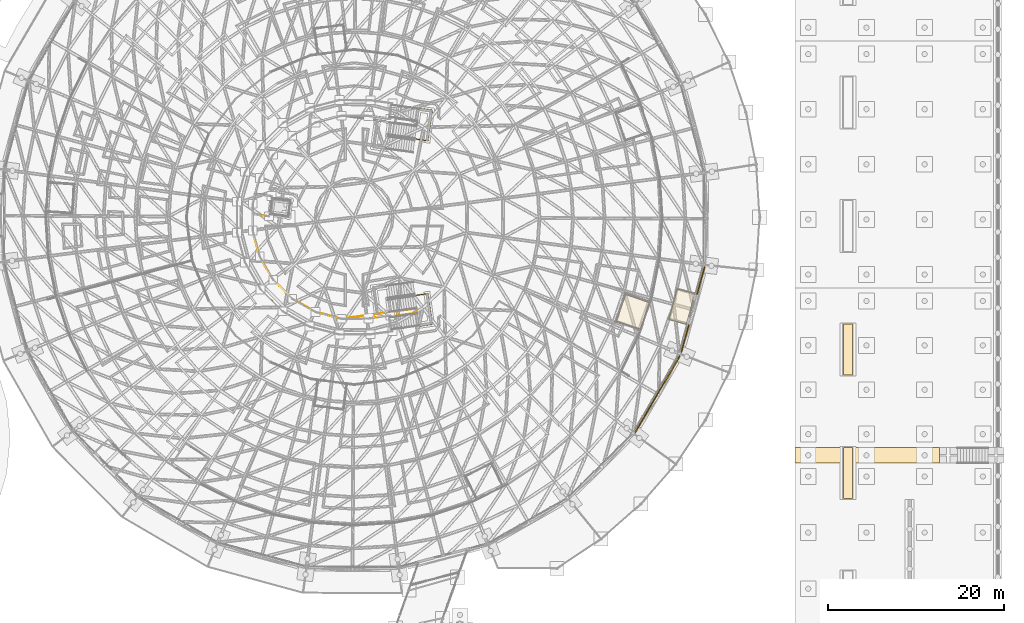
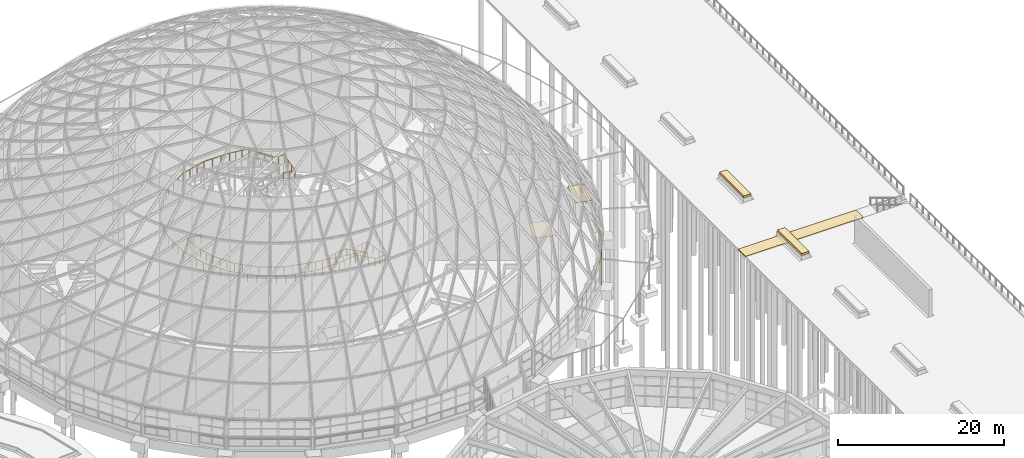
# One storey, part 221 of 226: 8 coverings, 2 railings.
"""IFC4 building model written with IfcOpenShell, lengths in metres."""

from ifc_helpers import new_model, si_unit, direction, frame, origin, origin_2d, place, context, subcontext, project, spatial, polyline, circle, outline, extrude, material, layer, layer_set, type_object, element, save


model = new_model("IFC4")

# Units and contexts
model_context = context("Model", 3, precision=1e-05, world=origin(), true_north=direction((0.0, 1.0)))
body_context = subcontext(model_context, "Body", "Model", "MODEL_VIEW")
ifc_project = project(units=[si_unit("LENGTHUNIT", "METRE"), si_unit("AREAUNIT", "SQUARE_METRE"), si_unit("VOLUMEUNIT", "CUBIC_METRE"), si_unit("PLANEANGLEUNIT", "RADIAN"), si_unit("MASSUNIT", "GRAM", prefix="KILO")], contexts=[model_context])

# Site, building, storey
site_placement = place(None, origin())
site = spatial("IfcSite", under=ifc_project, at=site_placement, CompositionType="ELEMENT")
building_placement = place(site_placement, origin())
building = spatial("IfcBuilding", under=site, at=building_placement, Name="Ceibo Conservatory and Research Tower", CompositionType="ELEMENT")
storey_placement = place(building_placement, origin())
storey = spatial("IfcBuildingStorey", under=building, at=storey_placement, Name="L00", CompositionType="ELEMENT", Elevation=0.0)

# Coverings
ifc_material_1 = material(Name="Aluminium ceiling panel", Category="aluminium")
ifc_layer_1 = layer(ifc_material_1, 0.050048828125)
ifc_layer_set_1 = layer_set([ifc_layer_1], Name="Aluminium ceiling panel")
covering_type_1 = type_object("IfcCoveringType", Name="Ceiling panel 50", PredefinedType="CEILING", material=ifc_layer_set_1)
covering_1_placement = place(storey_placement, frame((0.0, 0.0, 2.949951171875)))
element("IfcCovering", 1, at=covering_1_placement, inside=storey, type_object=covering_type_1, Name="Vestibule ceiling A-VC23", PredefinedType="CEILING", context=body_context, shape_type="SweptSolid", body=[
    extrude(outline(polyline([(193.667236328125, 95.864990234375), (194.6142578125, 99.33837890625), (192.636474609375, 99.87744140625), (191.689453125, 96.404296875), (193.667236328125, 95.864990234375)])), origin(), (0.0, 0.0, 1.0), 0.050048828125),
])
ifc_material_2 = material(Name="Concrete C35/45", Category="concrete")
ifc_layer_2 = layer(ifc_material_2, 0.14990234375)
ifc_layer_set_2 = layer_set([ifc_layer_2], Name="Concrete C35/45")
covering_type_2 = type_object("IfcCoveringType", Name="Concrete plinth facing 150", PredefinedType="CLADDING", material=ifc_layer_set_2)
covering_2_placement = place(storey_placement, origin())
element("IfcCovering", 2, at=covering_2_placement, inside=storey, type_object=covering_type_2, Name="Drum plinth facing A-PL27", PredefinedType="CLADDING", context=body_context, shape_type="SweptSolid", body=[
    extrude(outline(polyline([(187.799072265625, 83.646484375), (192.854736328125, 92.315673828125), (192.984375, 92.240234375), (187.9287109375, 83.571044921875), (187.799072265625, 83.646484375)])), origin(), (0.0, 0.0, 1.0), 0.5),
])
covering_3_placement = place(storey_placement, origin())
element("IfcCovering", 3, at=covering_3_placement, inside=storey, type_object=covering_type_2, Name="Drum plinth facing A-PL28", PredefinedType="CLADDING", context=body_context, shape_type="SweptSolid", body=[
    extrude(outline(polyline([(193.018798828125, 92.70654296875), (193.864990234375, 95.81103515625), (194.009765625, 95.771484375), (193.163330078125, 92.6669921875), (193.018798828125, 92.70654296875)])), origin(), (0.0, 0.0, 1.0), 0.5),
])
covering_4_placement = place(storey_placement, origin())
element("IfcCovering", 4, at=covering_4_placement, inside=storey, type_object=covering_type_2, Name="Drum plinth facing A-PL29", PredefinedType="CLADDING", context=body_context, shape_type="SweptSolid", body=[
    extrude(outline(polyline([(194.81201171875, 99.2841796875), (195.658447265625, 102.388916015625), (195.802978515625, 102.349365234375), (194.956787109375, 99.244873046875), (194.81201171875, 99.2841796875)])), origin(), (0.0, 0.0, 1.0), 0.5),
])

# Railings
ifc_material_3 = material(Name="Stainless steel AISI 316", Category="steel")
railing_type = type_object("IfcRailingType", Name="Conservatory guard 1100", PredefinedType="GUARDRAIL", material=ifc_material_3)
railing_1_placement = place(storey_placement, frame((162.882568359375, 116.87841796875, 4.0)))
element("IfcRailing", 5, at=railing_1_placement, inside=storey, type_object=railing_type, Name="Canopy walkway guard outer side", PredefinedType="GUARDRAIL", context=body_context, shape_type="SweptSolid", body=[
    extrude(circle(Radius=0.02392578125, at=origin_2d()), frame((0.0, 0.0, 1.076171875), z_axis=(0.990269200152, -0.139165050317, 0.0), x_axis=(0.139165050317, 0.990269200152, 0.0)), (0.0, 0.0, 1.0), 1.5),
    extrude(circle(Radius=0.02392578125, at=origin_2d()), frame((1.4853515625, -0.208740234375, 1.076171875), z_axis=(0.139223838121, 0.990260936773, 0.0), x_axis=(-0.990260936773, 0.139223838121, 0.0)), (0.0, 0.0, 1.0), 3.500244140625),
    extrude(circle(Radius=0.02392578125, at=origin_2d()), frame((1.97265625, 3.25732421875, 1.076171875), z_axis=(-0.990272351668, 0.139142622954, 0.0), x_axis=(-0.139142622954, -0.990272351668, 0.0)), (0.0, 0.0, 1.0), 1.500244140625),
    extrude(circle(Radius=0.02392578125, at=origin_2d()), frame((0.487060546875, 3.466064453125, 1.076171875), z_axis=(0.0, 0.0, 1.0), x_axis=(1.0, 0.0, 0.0)), (0.0, 0.0, 1.0), 0.166748046875),
    extrude(circle(Radius=0.02392578125, at=origin_2d()), frame((0.487060546875, 3.466064453125, 1.24267578125), z_axis=(-0.850921535928, 0.119614010334, 0.511492940544), x_axis=(-0.139201388639, -0.990264092756, 0.0)), (0.0, 0.0, 1.0), 3.584228515625),
    extrude(circle(Radius=0.02392578125, at=origin_2d()), frame((-2.562744140625, 3.894775390625, 3.076171875), z_axis=(0.138456131972, 0.990368567514, 0.0), x_axis=(-0.990368567514, 0.138456131972, 0.0)), (0.0, 0.0, 1.0), 0.14990234375),
    extrude(circle(Radius=0.02392578125, at=origin_2d()), frame((-2.5419921875, 4.043212890625, 3.076171875), z_axis=(-0.990269200152, 0.139165050317, 0.0), x_axis=(-0.139165050317, -0.990269200152, 0.0)), (0.0, 0.0, 1.0), 2.5),
    extrude(circle(Radius=0.02392578125, at=origin_2d()), frame((-5.017578125, 4.39111328125, 3.076171875), z_axis=(-0.999967560097, 0.008054734878, 0.0), x_axis=(-0.008054734878, -0.999967560097, 0.0)), (0.0, 0.0, 1.0), 3.515869140625),
    extrude(circle(Radius=0.02392578125, at=origin_2d()), frame((-8.533447265625, 4.41943359375, 3.076171875), z_axis=(-0.967637916625, -0.252342747687, 0.0), x_axis=(0.252342747687, -0.967637916625, 0.0)), (0.0, 0.0, 1.0), 3.515869140625),
    extrude(circle(Radius=0.02392578125, at=origin_2d()), frame((-11.935546875, 3.5322265625, 3.076171875), z_axis=(-0.868725584754, -0.49529370922, 0.0), x_axis=(0.49529370922, -0.868725584754, 0.0)), (0.0, 0.0, 1.0), 3.51611328125),
    extrude(circle(Radius=0.02392578125, at=origin_2d()), frame((-14.989990234375, 1.790771484375, 3.076171875), z_axis=(-0.709948063666, -0.704254035769, 0.0), x_axis=(0.704254035769, -0.709948063666, 0.0)), (0.0, 0.0, 1.0), 3.515869140625),
    extrude(circle(Radius=0.02392578125, at=origin_2d()), frame((-17.486083984375, -0.685302734375, 3.076171875), z_axis=(-0.502303019938, -0.86469166537, 0.0), x_axis=(0.86469166537, -0.502303019938, 0.0)), (0.0, 0.0, 1.0), 3.51611328125),
    extrude(circle(Radius=0.02392578125, at=origin_2d()), frame((-19.252197265625, -3.7255859375, 3.076171875), z_axis=(-0.26012537805, -0.965574848313, 0.0), x_axis=(0.965574848313, -0.26012537805, 0.0)), (0.0, 0.0, 1.0), 3.515869140625),
    extrude(circle(Radius=0.02392578125, at=origin_2d()), frame((-20.166748046875, -7.120361328125, 3.076171875), z_axis=(0.0, -1.0, 0.0), x_axis=(1.0, 0.0, 0.0)), (0.0, 0.0, 1.0), 3.51611328125),
    extrude(circle(Radius=0.02392578125, at=origin_2d()), frame((-20.166748046875, -10.636474609375, 3.076171875), z_axis=(0.26012537805, -0.965574848313, 0.0), x_axis=(0.965574848313, 0.26012537805, 0.0)), (0.0, 0.0, 1.0), 3.515869140625),
    extrude(circle(Radius=0.02392578125, at=origin_2d()), frame((-19.252197265625, -14.03125, 3.076171875), z_axis=(0.502303019938, -0.86469166537, 0.0), x_axis=(0.86469166537, 0.502303019938, 0.0)), (0.0, 0.0, 1.0), 3.51611328125),
    extrude(circle(Radius=0.02392578125, at=origin_2d()), frame((-17.486083984375, -17.071533203125, 3.076171875), z_axis=(0.709948063666, -0.704254035769, 0.0), x_axis=(0.704254035769, 0.709948063666, 0.0)), (0.0, 0.0, 1.0), 3.515869140625),
    extrude(circle(Radius=0.02392578125, at=origin_2d()), frame((-14.989990234375, -19.547607421875, 3.076171875), z_axis=(0.868725584754, -0.49529370922, 0.0), x_axis=(0.49529370922, 0.868725584754, 0.0)), (0.0, 0.0, 1.0), 3.51611328125),
    extrude(circle(Radius=0.02392578125, at=origin_2d()), frame((-11.935546875, -21.2890625, 3.076171875), z_axis=(0.967637916625, -0.252342747687, 0.0), x_axis=(0.252342747687, 0.967637916625, 0.0)), (0.0, 0.0, 1.0), 3.515869140625),
    extrude(circle(Radius=0.02392578125, at=origin_2d()), frame((-8.533447265625, -22.17626953125, 3.076171875), z_axis=(0.999967560097, 0.008054734878, 0.0), x_axis=(-0.008054734878, 0.999967560097, 0.0)), (0.0, 0.0, 1.0), 3.515869140625),
    extrude(circle(Radius=0.02392578125, at=origin_2d()), frame((-5.017578125, -22.14794921875, 3.076171875), z_axis=(0.990269200152, 0.139165050317, 0.0), x_axis=(-0.139165050317, 0.990269200152, 0.0)), (0.0, 0.0, 1.0), 2.5),
    extrude(circle(Radius=0.02392578125, at=origin_2d()), frame((-2.5419921875, -21.800048828125, 3.076171875), z_axis=(-0.138456131972, 0.990368567514, 0.0), x_axis=(-0.990368567514, -0.138456131972, 0.0)), (0.0, 0.0, 1.0), 0.14990234375),
    extrude(circle(Radius=0.02392578125, at=origin_2d()), frame((-2.562744140625, -21.651611328125, 3.076171875), z_axis=(0.850921535928, 0.119614010334, -0.511492940544), x_axis=(-0.139201388639, 0.990264092756, 0.0)), (0.0, 0.0, 1.0), 3.584228515625),
    extrude(circle(Radius=0.02392578125, at=origin_2d()), frame((0.487060546875, -21.222900390625, 1.24267578125), z_axis=(0.0, 0.0, -1.0), x_axis=(1.0, 0.0, 0.0)), (0.0, 0.0, 1.0), 0.166748046875),
    extrude(circle(Radius=0.02392578125, at=origin_2d()), frame((0.487060546875, -21.222900390625, 1.076171875), z_axis=(0.990272351668, 0.139142622954, 0.0), x_axis=(-0.139142622954, 0.990272351668, 0.0)), (0.0, 0.0, 1.0), 1.500244140625),
    extrude(circle(Radius=0.02392578125, at=origin_2d()), frame((1.97265625, -21.01416015625, 1.076171875), z_axis=(-0.139223838121, 0.990260936773, 0.0), x_axis=(-0.990260936773, -0.139223838121, 0.0)), (0.0, 0.0, 1.0), 3.500244140625),
    extrude(circle(Radius=0.02392578125, at=origin_2d()), frame((1.4853515625, -17.548095703125, 1.076171875), z_axis=(-0.990269200152, -0.139165050317, 0.0), x_axis=(0.139165050317, -0.990269200152, 0.0)), (0.0, 0.0, 1.0), 1.5),
    extrude(circle(Radius=0.02099609375, at=origin_2d()), origin(), (0.0, 0.0, 1.0), 1.052001953125),
    extrude(circle(Radius=0.02099609375, at=origin_2d()), frame((0.74267578125, -0.1044921875, 0.0)), (0.0, 0.0, 1.0), 1.052001953125),
    extrude(circle(Radius=0.02099609375, at=origin_2d()), frame((1.4853515625, -0.208740234375, 0.0)), (0.0, 0.0, 1.0), 1.052001953125),
    extrude(circle(Radius=0.02099609375, at=origin_2d()), frame((1.647705078125, 0.946533203125, 0.0)), (0.0, 0.0, 1.0), 1.052001953125),
    extrude(circle(Radius=0.02099609375, at=origin_2d()), frame((1.810302734375, 2.10205078125, 0.0)), (0.0, 0.0, 1.0), 1.052001953125),
    extrude(circle(Radius=0.02099609375, at=origin_2d()), frame((1.97265625, 3.25732421875, 0.0)), (0.0, 0.0, 1.0), 1.052001953125),
    extrude(circle(Radius=0.02099609375, at=origin_2d()), frame((1.22998046875, 3.36181640625, 0.0)), (0.0, 0.0, 1.0), 1.052001953125),
    extrude(circle(Radius=0.02099609375, at=origin_2d()), frame((0.487060546875, 3.466064453125, 0.0)), (0.0, 0.0, 1.0), 1.052001953125),
    extrude(circle(Radius=0.02099609375, at=origin_2d()), frame((0.487060546875, 3.466064453125, 0.166748046875)), (0.0, 0.0, 1.0), 1.052001953125),
    extrude(circle(Radius=0.02099609375, at=origin_2d()), frame((-0.529541015625, 3.60888671875, 0.77783203125)), (0.0, 0.0, 1.0), 1.052001953125),
    extrude(circle(Radius=0.02099609375, at=origin_2d()), frame((-1.546142578125, 3.751953125, 1.388916015625)), (0.0, 0.0, 1.0), 1.052001953125),
    extrude(circle(Radius=0.02099609375, at=origin_2d()), frame((-2.562744140625, 3.894775390625, 2.0)), (0.0, 0.0, 1.0), 1.052001953125),
    extrude(circle(Radius=0.02099609375, at=origin_2d()), frame((-2.5419921875, 4.043212890625, 2.0)), (0.0, 0.0, 1.0), 1.052001953125),
    extrude(circle(Radius=0.02099609375, at=origin_2d()), frame((-3.3671875, 4.1591796875, 2.0)), (0.0, 0.0, 1.0), 1.052001953125),
    extrude(circle(Radius=0.02099609375, at=origin_2d()), frame((-4.1923828125, 4.275146484375, 2.0)), (0.0, 0.0, 1.0), 1.052001953125),
    extrude(circle(Radius=0.02099609375, at=origin_2d()), frame((-5.017578125, 4.39111328125, 2.0)), (0.0, 0.0, 1.0), 1.052001953125),
    extrude(circle(Radius=0.02099609375, at=origin_2d()), frame((-6.189453125, 4.400634765625, 2.0)), (0.0, 0.0, 1.0), 1.052001953125),
    extrude(circle(Radius=0.02099609375, at=origin_2d()), frame((-7.361572265625, 4.409912109375, 2.0)), (0.0, 0.0, 1.0), 1.052001953125),
    extrude(circle(Radius=0.02099609375, at=origin_2d()), frame((-8.533447265625, 4.41943359375, 2.0)), (0.0, 0.0, 1.0), 1.052001953125),
    extrude(circle(Radius=0.02099609375, at=origin_2d()), frame((-9.66748046875, 4.123779296875, 2.0)), (0.0, 0.0, 1.0), 1.052001953125),
    extrude(circle(Radius=0.02099609375, at=origin_2d()), frame((-10.801513671875, 3.827880859375, 2.0)), (0.0, 0.0, 1.0), 1.052001953125),
    extrude(circle(Radius=0.02099609375, at=origin_2d()), frame((-11.935546875, 3.5322265625, 2.0)), (0.0, 0.0, 1.0), 1.052001953125),
    extrude(circle(Radius=0.02099609375, at=origin_2d()), frame((-12.95361328125, 2.95166015625, 2.0)), (0.0, 0.0, 1.0), 1.052001953125),
    extrude(circle(Radius=0.02099609375, at=origin_2d()), frame((-13.971923828125, 2.371337890625, 2.0)), (0.0, 0.0, 1.0), 1.052001953125),
    extrude(circle(Radius=0.02099609375, at=origin_2d()), frame((-14.989990234375, 1.790771484375, 2.0)), (0.0, 0.0, 1.0), 1.052001953125),
    extrude(circle(Radius=0.02099609375, at=origin_2d()), frame((-15.822021484375, 0.96533203125, 2.0)), (0.0, 0.0, 1.0), 1.052001953125),
    extrude(circle(Radius=0.02099609375, at=origin_2d()), frame((-16.654052734375, 0.14013671875, 2.0)), (0.0, 0.0, 1.0), 1.052001953125),
    extrude(circle(Radius=0.02099609375, at=origin_2d()), frame((-17.486083984375, -0.685302734375, 2.0)), (0.0, 0.0, 1.0), 1.052001953125),
    extrude(circle(Radius=0.02099609375, at=origin_2d()), frame((-18.07470703125, -1.69873046875, 2.0)), (0.0, 0.0, 1.0), 1.052001953125),
    extrude(circle(Radius=0.02099609375, at=origin_2d()), frame((-18.66357421875, -2.712158203125, 2.0)), (0.0, 0.0, 1.0), 1.052001953125),
    extrude(circle(Radius=0.02099609375, at=origin_2d()), frame((-19.252197265625, -3.7255859375, 2.0)), (0.0, 0.0, 1.0), 1.052001953125),
    extrude(circle(Radius=0.02099609375, at=origin_2d()), frame((-19.55712890625, -4.857177734375, 2.0)), (0.0, 0.0, 1.0), 1.052001953125),
    extrude(circle(Radius=0.02099609375, at=origin_2d()), frame((-19.86181640625, -5.98876953125, 2.0)), (0.0, 0.0, 1.0), 1.052001953125),
    extrude(circle(Radius=0.02099609375, at=origin_2d()), frame((-20.166748046875, -7.120361328125, 2.0)), (0.0, 0.0, 1.0), 1.052001953125),
    extrude(circle(Radius=0.02099609375, at=origin_2d()), frame((-20.166748046875, -8.29248046875, 2.0)), (0.0, 0.0, 1.0), 1.052001953125),
    extrude(circle(Radius=0.02099609375, at=origin_2d()), frame((-20.166748046875, -9.46435546875, 2.0)), (0.0, 0.0, 1.0), 1.052001953125),
    extrude(circle(Radius=0.02099609375, at=origin_2d()), frame((-20.166748046875, -10.636474609375, 2.0)), (0.0, 0.0, 1.0), 1.052001953125),
    extrude(circle(Radius=0.02099609375, at=origin_2d()), frame((-19.86181640625, -11.76806640625, 2.0)), (0.0, 0.0, 1.0), 1.052001953125),
    extrude(circle(Radius=0.02099609375, at=origin_2d()), frame((-19.55712890625, -12.899658203125, 2.0)), (0.0, 0.0, 1.0), 1.052001953125),
    extrude(circle(Radius=0.02099609375, at=origin_2d()), frame((-19.252197265625, -14.03125, 2.0)), (0.0, 0.0, 1.0), 1.052001953125),
    extrude(circle(Radius=0.02099609375, at=origin_2d()), frame((-18.66357421875, -15.044677734375, 2.0)), (0.0, 0.0, 1.0), 1.052001953125),
    extrude(circle(Radius=0.02099609375, at=origin_2d()), frame((-18.07470703125, -16.05810546875, 2.0)), (0.0, 0.0, 1.0), 1.052001953125),
    extrude(circle(Radius=0.02099609375, at=origin_2d()), frame((-17.486083984375, -17.071533203125, 2.0)), (0.0, 0.0, 1.0), 1.052001953125),
    extrude(circle(Radius=0.02099609375, at=origin_2d()), frame((-16.654052734375, -17.89697265625, 2.0)), (0.0, 0.0, 1.0), 1.052001953125),
    extrude(circle(Radius=0.02099609375, at=origin_2d()), frame((-15.822021484375, -18.72216796875, 2.0)), (0.0, 0.0, 1.0), 1.052001953125),
    extrude(circle(Radius=0.02099609375, at=origin_2d()), frame((-14.989990234375, -19.547607421875, 2.0)), (0.0, 0.0, 1.0), 1.052001953125),
    extrude(circle(Radius=0.02099609375, at=origin_2d()), frame((-13.971923828125, -20.128173828125, 2.0)), (0.0, 0.0, 1.0), 1.052001953125),
    extrude(circle(Radius=0.02099609375, at=origin_2d()), frame((-12.95361328125, -20.70849609375, 2.0)), (0.0, 0.0, 1.0), 1.052001953125),
    extrude(circle(Radius=0.02099609375, at=origin_2d()), frame((-11.935546875, -21.2890625, 2.0)), (0.0, 0.0, 1.0), 1.052001953125),
    extrude(circle(Radius=0.02099609375, at=origin_2d()), frame((-10.801513671875, -21.584716796875, 2.0)), (0.0, 0.0, 1.0), 1.052001953125),
    extrude(circle(Radius=0.02099609375, at=origin_2d()), frame((-9.66748046875, -21.880615234375, 2.0)), (0.0, 0.0, 1.0), 1.052001953125),
    extrude(circle(Radius=0.02099609375, at=origin_2d()), frame((-8.533447265625, -22.17626953125, 2.0)), (0.0, 0.0, 1.0), 1.052001953125),
    extrude(circle(Radius=0.02099609375, at=origin_2d()), frame((-7.361572265625, -22.166748046875, 2.0)), (0.0, 0.0, 1.0), 1.052001953125),
    extrude(circle(Radius=0.02099609375, at=origin_2d()), frame((-6.189453125, -22.157470703125, 2.0)), (0.0, 0.0, 1.0), 1.052001953125),
    extrude(circle(Radius=0.02099609375, at=origin_2d()), frame((-5.017578125, -22.14794921875, 2.0)), (0.0, 0.0, 1.0), 1.052001953125),
    extrude(circle(Radius=0.02099609375, at=origin_2d()), frame((-4.1923828125, -22.031982421875, 2.0)), (0.0, 0.0, 1.0), 1.052001953125),
    extrude(circle(Radius=0.02099609375, at=origin_2d()), frame((-3.3671875, -21.916015625, 2.0)), (0.0, 0.0, 1.0), 1.052001953125),
    extrude(circle(Radius=0.02099609375, at=origin_2d()), frame((-2.5419921875, -21.800048828125, 2.0)), (0.0, 0.0, 1.0), 1.052001953125),
    extrude(circle(Radius=0.02099609375, at=origin_2d()), frame((-2.562744140625, -21.651611328125, 2.0)), (0.0, 0.0, 1.0), 1.052001953125),
    extrude(circle(Radius=0.02099609375, at=origin_2d()), frame((-1.546142578125, -21.5087890625, 1.388916015625)), (0.0, 0.0, 1.0), 1.052001953125),
    extrude(circle(Radius=0.02099609375, at=origin_2d()), frame((-0.529541015625, -21.36572265625, 0.77783203125)), (0.0, 0.0, 1.0), 1.052001953125),
    extrude(circle(Radius=0.02099609375, at=origin_2d()), frame((0.487060546875, -21.222900390625, 0.166748046875)), (0.0, 0.0, 1.0), 1.052001953125),
    extrude(circle(Radius=0.02099609375, at=origin_2d()), frame((0.487060546875, -21.222900390625, 0.0)), (0.0, 0.0, 1.0), 1.052001953125),
    extrude(circle(Radius=0.02099609375, at=origin_2d()), frame((1.22998046875, -21.11865234375, 0.0)), (0.0, 0.0, 1.0), 1.052001953125),
    extrude(circle(Radius=0.02099609375, at=origin_2d()), frame((1.97265625, -21.01416015625, 0.0)), (0.0, 0.0, 1.0), 1.052001953125),
    extrude(circle(Radius=0.02099609375, at=origin_2d()), frame((1.810302734375, -19.85888671875, 0.0)), (0.0, 0.0, 1.0), 1.052001953125),
    extrude(circle(Radius=0.02099609375, at=origin_2d()), frame((1.647705078125, -18.703369140625, 0.0)), (0.0, 0.0, 1.0), 1.052001953125),
    extrude(circle(Radius=0.02099609375, at=origin_2d()), frame((1.4853515625, -17.548095703125, 0.0)), (0.0, 0.0, 1.0), 1.052001953125),
    extrude(circle(Radius=0.02099609375, at=origin_2d()), frame((0.74267578125, -17.65234375, 0.0)), (0.0, 0.0, 1.0), 1.052001953125),
    extrude(circle(Radius=0.02099609375, at=origin_2d()), frame((0.0, -17.7568359375, 0.0)), (0.0, 0.0, 1.0), 1.052001953125),
])
railing_2_placement = place(storey_placement, frame((146.33203125, 108.119384765625, 6.0)))
element("IfcRailing", 6, at=railing_2_placement, inside=storey, type_object=railing_type, Name="Canopy walkway guard inner side east", PredefinedType="GUARDRAIL", context=body_context, shape_type="SweptSolid", body=[
    extrude(circle(Radius=0.02392578125, at=origin_2d()), frame((0.0, 0.0, 1.076171875), z_axis=(-0.991355524199, 0.131202990208, 0.0), x_axis=(-0.131202990208, -0.991355524199, 0.0)), (0.0, 0.0, 1.0), 1.84765625),
    extrude(circle(Radius=0.02392578125, at=origin_2d()), frame((-1.831787109375, 0.242431640625, 1.076171875), z_axis=(0.0, -1.0, 0.0), x_axis=(1.0, 0.0, 0.0)), (0.0, 0.0, 1.0), 1.883544921875),
    extrude(circle(Radius=0.02392578125, at=origin_2d()), frame((-1.831787109375, -1.64111328125, 1.076171875), z_axis=(0.260123049311, -0.965575475671, 0.0), x_axis=(0.965575475671, 0.260123049311, 0.0)), (0.0, 0.0, 1.0), 3.043701171875),
    extrude(circle(Radius=0.02392578125, at=origin_2d()), frame((-1.0400390625, -4.580078125, 1.076171875), z_axis=(0.502294187222, -0.864696796272, 0.0), x_axis=(0.864696796272, 0.502294187222, 0.0)), (0.0, 0.0, 1.0), 3.043701171875),
    extrude(circle(Radius=0.02392578125, at=origin_2d()), frame((0.48876953125, -7.2119140625, 1.076171875), z_axis=(0.709948542218, -0.704253553347, 0.0), x_axis=(0.704253553347, 0.709948542218, 0.0)), (0.0, 0.0, 1.0), 3.043701171875),
    extrude(circle(Radius=0.02392578125, at=origin_2d()), frame((2.649658203125, -9.35546875, 1.076171875), z_axis=(0.868711694482, -0.495318071415, 0.0), x_axis=(0.495318071415, 0.868711694482, 0.0)), (0.0, 0.0, 1.0), 3.043701171875),
    extrude(circle(Radius=0.02392578125, at=origin_2d()), frame((5.293701171875, -10.863037109375, 1.076171875), z_axis=(0.96763430702, -0.252356588733, 0.0), x_axis=(0.252356588733, 0.96763430702, 0.0)), (0.0, 0.0, 1.0), 3.04345703125),
    extrude(circle(Radius=0.02392578125, at=origin_2d()), frame((8.23876953125, -11.631103515625, 1.076171875), z_axis=(0.965275699868, 0.130021807022, -0.226577035339), x_axis=(-0.133493540428, 0.991049683247, 0.0)), (0.0, 0.0, 1.0), 8.826904296875),
    extrude(circle(Radius=0.02392578125, at=origin_2d()), frame((16.75927734375, -10.4833984375, -0.923828125), z_axis=(0.132016646645, -0.939402664544, 0.316376735643), x_axis=(0.990269200152, 0.139165050317, 0.0)), (0.0, 0.0, 1.0), 0.527099609375),
    extrude(circle(Radius=0.02392578125, at=origin_2d()), frame((16.828857421875, -10.978515625, -0.75732421875), z_axis=(-0.850947260664, -0.119539937762, 0.511467460204), x_axis=(0.139112730934, -0.990276551319, 0.0)), (0.0, 0.0, 1.0), 3.584228515625),
    extrude(circle(Radius=0.02392578125, at=origin_2d()), frame((13.77880859375, -11.406982421875, 1.076171875), z_axis=(-0.138456131972, 0.990368567514, 0.0), x_axis=(-0.990368567514, -0.138456131972, 0.0)), (0.0, 0.0, 1.0), 0.14990234375),
    extrude(circle(Radius=0.02392578125, at=origin_2d()), frame((13.758056640625, -11.258544921875, 1.076171875), z_axis=(-0.990269200152, -0.139165050317, 0.0), x_axis=(0.139165050317, -0.990269200152, 0.0)), (0.0, 0.0, 1.0), 2.5),
    extrude(circle(Radius=0.02099609375, at=origin_2d()), origin(), (0.0, 0.0, 1.0), 1.052001953125),
    extrude(circle(Radius=0.02099609375, at=origin_2d()), frame((-0.916015625, 0.12109375, 0.0)), (0.0, 0.0, 1.0), 1.052001953125),
    extrude(circle(Radius=0.02099609375, at=origin_2d()), frame((-1.831787109375, 0.242431640625, 0.0)), (0.0, 0.0, 1.0), 1.052001953125),
    extrude(circle(Radius=0.02099609375, at=origin_2d()), frame((-1.831787109375, -0.69921875, 0.0)), (0.0, 0.0, 1.0), 1.052001953125),
    extrude(circle(Radius=0.02099609375, at=origin_2d()), frame((-1.831787109375, -1.64111328125, 0.0)), (0.0, 0.0, 1.0), 1.052001953125),
    extrude(circle(Radius=0.02099609375, at=origin_2d()), frame((-1.56787109375, -2.620849609375, 0.0)), (0.0, 0.0, 1.0), 1.052001953125),
    extrude(circle(Radius=0.02099609375, at=origin_2d()), frame((-1.303955078125, -3.600341796875, 0.0)), (0.0, 0.0, 1.0), 1.052001953125),
    extrude(circle(Radius=0.02099609375, at=origin_2d()), frame((-1.0400390625, -4.580078125, 0.0)), (0.0, 0.0, 1.0), 1.052001953125),
    extrude(circle(Radius=0.02099609375, at=origin_2d()), frame((-0.530517578125, -5.457275390625, 0.0)), (0.0, 0.0, 1.0), 1.052001953125),
    extrude(circle(Radius=0.02099609375, at=origin_2d()), frame((-0.020751953125, -6.334716796875, 0.0)), (0.0, 0.0, 1.0), 1.052001953125),
    extrude(circle(Radius=0.02099609375, at=origin_2d()), frame((0.48876953125, -7.2119140625, 0.0)), (0.0, 0.0, 1.0), 1.052001953125),
    extrude(circle(Radius=0.02099609375, at=origin_2d()), frame((1.208984375, -7.926513671875, 0.0)), (0.0, 0.0, 1.0), 1.052001953125),
    extrude(circle(Radius=0.02099609375, at=origin_2d()), frame((1.929443359375, -8.640869140625, 0.0)), (0.0, 0.0, 1.0), 1.052001953125),
    extrude(circle(Radius=0.02099609375, at=origin_2d()), frame((2.649658203125, -9.35546875, 0.0)), (0.0, 0.0, 1.0), 1.052001953125),
    extrude(circle(Radius=0.02099609375, at=origin_2d()), frame((3.531005859375, -9.85791015625, 0.0)), (0.0, 0.0, 1.0), 1.052001953125),
    extrude(circle(Radius=0.02099609375, at=origin_2d()), frame((4.412353515625, -10.360595703125, 0.0)), (0.0, 0.0, 1.0), 1.052001953125),
    extrude(circle(Radius=0.02099609375, at=origin_2d()), frame((5.293701171875, -10.863037109375, 0.0)), (0.0, 0.0, 1.0), 1.052001953125),
    extrude(circle(Radius=0.02099609375, at=origin_2d()), frame((6.275390625, -11.119140625, 0.0)), (0.0, 0.0, 1.0), 1.052001953125),
    extrude(circle(Radius=0.02099609375, at=origin_2d()), frame((7.257080078125, -11.375, 0.0)), (0.0, 0.0, 1.0), 1.052001953125),
    extrude(circle(Radius=0.02099609375, at=origin_2d()), frame((8.23876953125, -11.631103515625, 0.0)), (0.0, 0.0, 1.0), 1.052001953125),
    extrude(circle(Radius=0.02099609375, at=origin_2d()), frame((9.3037109375, -11.487548828125, -0.25)), (0.0, 0.0, 1.0), 1.052001953125),
    extrude(circle(Radius=0.02099609375, at=origin_2d()), frame((10.368896484375, -11.34423828125, -0.5)), (0.0, 0.0, 1.0), 1.052001953125),
    extrude(circle(Radius=0.02099609375, at=origin_2d()), frame((11.43408203125, -11.20068359375, -0.75)), (0.0, 0.0, 1.0), 1.052001953125),
    extrude(circle(Radius=0.02099609375, at=origin_2d()), frame((12.4990234375, -11.05712890625, -1.0)), (0.0, 0.0, 1.0), 1.052001953125),
    extrude(circle(Radius=0.02099609375, at=origin_2d()), frame((13.56396484375, -10.913818359375, -1.25)), (0.0, 0.0, 1.0), 1.052001953125),
    extrude(circle(Radius=0.02099609375, at=origin_2d()), frame((14.629150390625, -10.770263671875, -1.5)), (0.0, 0.0, 1.0), 1.052001953125),
    extrude(circle(Radius=0.02099609375, at=origin_2d()), frame((15.6943359375, -10.626953125, -1.75)), (0.0, 0.0, 1.0), 1.052001953125),
    extrude(circle(Radius=0.02099609375, at=origin_2d()), frame((16.75927734375, -10.4833984375, -2.0)), (0.0, 0.0, 1.0), 1.052001953125),
    extrude(circle(Radius=0.02099609375, at=origin_2d()), frame((16.828857421875, -10.978515625, -1.833251953125)), (0.0, 0.0, 1.0), 1.052001953125),
    extrude(circle(Radius=0.02099609375, at=origin_2d()), frame((15.812255859375, -11.121337890625, -1.22216796875)), (0.0, 0.0, 1.0), 1.052001953125),
    extrude(circle(Radius=0.02099609375, at=origin_2d()), frame((14.79541015625, -11.26416015625, -0.611083984375)), (0.0, 0.0, 1.0), 1.052001953125),
    extrude(circle(Radius=0.02099609375, at=origin_2d()), frame((13.77880859375, -11.406982421875, 0.0)), (0.0, 0.0, 1.0), 1.052001953125),
    extrude(circle(Radius=0.02099609375, at=origin_2d()), frame((13.758056640625, -11.258544921875, 0.0)), (0.0, 0.0, 1.0), 1.052001953125),
    extrude(circle(Radius=0.02099609375, at=origin_2d()), frame((12.932861328125, -11.37451171875, 0.0)), (0.0, 0.0, 1.0), 1.052001953125),
    extrude(circle(Radius=0.02099609375, at=origin_2d()), frame((12.107666015625, -11.490478515625, 0.0)), (0.0, 0.0, 1.0), 1.052001953125),
    extrude(circle(Radius=0.02099609375, at=origin_2d()), frame((11.282470703125, -11.6064453125, 0.0)), (0.0, 0.0, 1.0), 1.052001953125),
])

# Coverings
ifc_material_4 = material(Name="Granite paving", Category="masonry")
ifc_layer_3 = layer(ifc_material_4, 0.02001953125)
ifc_layer_set_3 = layer_set([ifc_layer_3], Name="Granite paving")
covering_type_3 = type_object("IfcCoveringType", Name="Paving 20", PredefinedType="FLOORING", material=ifc_layer_set_3)
covering_5_placement = place(storey_placement, origin())
element("IfcCovering", 7, at=covering_5_placement, inside=storey, type_object=covering_type_3, Name="Path paving A-PV12", PredefinedType="FLOORING", context=body_context, shape_type="SweptSolid", body=[
    extrude(outline(polyline([(188.444091796875, 95.298095703125), (188.4619140625, 95.2900390625), (189.491943359375, 98.320068359375), (189.471923828125, 98.327880859375), (186.7919921875, 99.238037109375), (185.763916015625, 96.2060546875), (188.444091796875, 95.298095703125)])), origin(), (0.0, 0.0, 1.0), 0.02001953125),
])
ifc_material_5 = material(Name="Planting soil")
ifc_layer_4 = layer(ifc_material_5, 0.300048828125)
ifc_layer_set_4 = layer_set([ifc_layer_4], Name="Planting soil")
covering_type_4 = type_object("IfcCoveringType", Name="Planting bed soil 300", PredefinedType="FLOORING", material=ifc_layer_set_4)
covering_6_placement = place(storey_placement, frame((0.0, 0.0, 0.60009765625)))
element("IfcCovering", 8, at=covering_6_placement, inside=storey, type_object=covering_type_4, Name="Planting bed 5", PredefinedType="FLOORING", context=body_context, shape_type="SweptSolid", body=[
    extrude(outline(polyline([(211.5, 76.10009765625), (212.5, 76.10009765625), (212.5, 81.89990234375), (211.5, 81.89990234375), (211.5, 76.10009765625)])), origin(), (0.0, 0.0, 1.0), 0.2998046875),
])
covering_7_placement = place(storey_placement, frame((0.0, 0.0, 0.60009765625)))
element("IfcCovering", 9, at=covering_7_placement, inside=storey, type_object=covering_type_4, Name="Planting bed 6", PredefinedType="FLOORING", context=body_context, shape_type="SweptSolid", body=[
    extrude(outline(polyline([(211.5, 90.10009765625), (212.5, 90.10009765625), (212.5, 95.89990234375), (211.5, 95.89990234375), (211.5, 90.10009765625)])), origin(), (0.0, 0.0, 1.0), 0.2998046875),
])
ifc_layer_5 = layer(ifc_material_4, 0.14990234375)
ifc_layer_set_5 = layer_set([ifc_layer_5], Name="Granite paving")
covering_type_5 = type_object("IfcCoveringType", Name="Promenade paving 150", PredefinedType="USERDEFINED", material=ifc_layer_set_5)
covering_8_placement = place(storey_placement, frame((0.0, 0.0, -0.14990234375)))
element("IfcCovering", 10, at=covering_8_placement, inside=storey, type_object=covering_type_5, Name="Quay walk paving at the steps", ObjectType="PAVING", PredefinedType="USERDEFINED", context=body_context, shape_type="SweptSolid", body=[
    extrude(outline(polyline([(206.0, 80.10009765625), (222.39990234375, 80.10009765625), (222.39990234375, 81.89990234375), (206.0, 81.89990234375), (206.0, 80.10009765625)])), origin(), (0.0, 0.0, 1.0), 0.14990234375),
])

save(model, "model.ifc")
